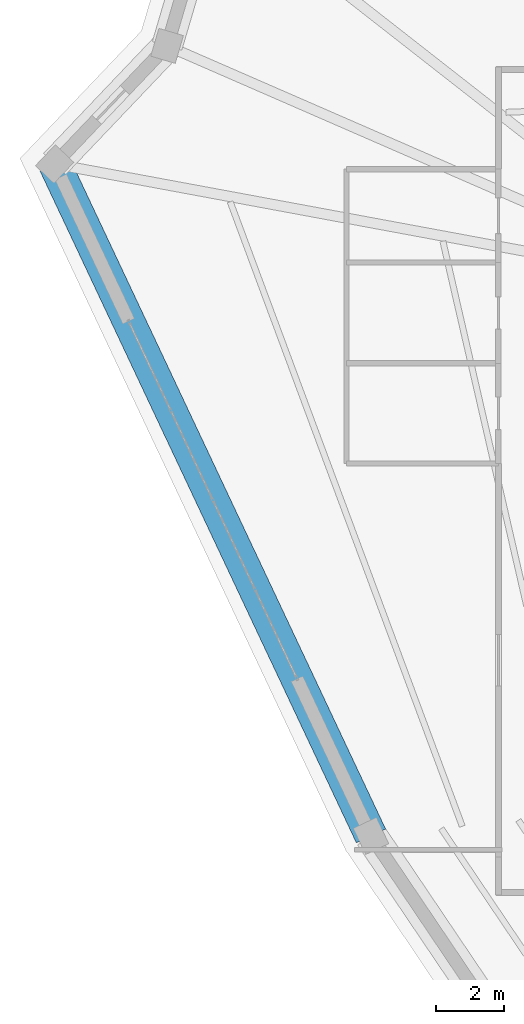
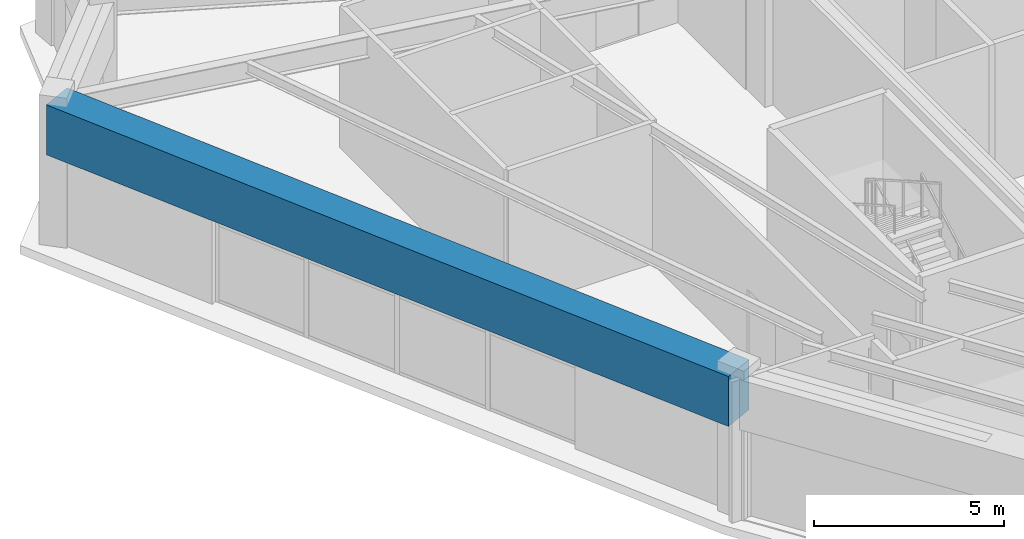
# One storey, part 20 of 40: 1 beam.
"""IFC4 building model written with IfcOpenShell, lengths in metres."""

from ifc_helpers import new_model, si_unit, direction, frame, origin, origin_2d, place, context, subcontext, project, spatial, rectangle, extrude, source, transform, mapped, material, material_profile, profile_set, type_object, element, save


model = new_model("IFC4")

# Units and contexts
model_context = context("Model", 3, precision=1e-05, world=origin(), true_north=direction((0.0, 1.0)))
body_context = subcontext(model_context, "Body", "Model", "MODEL_VIEW")
ifc_project = project(units=[si_unit("LENGTHUNIT", "METRE"), si_unit("AREAUNIT", "SQUARE_METRE"), si_unit("VOLUMEUNIT", "CUBIC_METRE"), si_unit("PLANEANGLEUNIT", "RADIAN"), si_unit("MASSUNIT", "GRAM", prefix="KILO")], contexts=[model_context])

# Site, building, storey
site_placement = place(None, origin())
site = spatial("IfcSite", under=ifc_project, at=site_placement, CompositionType="ELEMENT")
building_placement = place(site_placement, origin())
building = spatial("IfcBuilding", under=site, at=building_placement, Name="Liaohun Quay Tower", CompositionType="ELEMENT")
storey_placement = place(building_placement, frame((0.0, 0.0, 351.0)))
storey = spatial("IfcBuildingStorey", under=building, at=storey_placement, Name="L91", CompositionType="ELEMENT", Elevation=351.0)

# Beam
ifc_material = material(Name="Concrete C55", Category="concrete")
ifc_material_profile = material_profile(ifc_material, rectangle(XDim=0.949951171875, YDim=1.60009765625, at=origin_2d()), Name="RC950x1600")
ifc_profile_set = profile_set([ifc_material_profile], Name="Concrete C55")
beam_type = type_object("IfcBeamType", Name="BM-CAN-LNG", PredefinedType="SPANDREL", material=ifc_profile_set)
shared_shape = source(origin(), body_context, "Body", "SweptSolid", [
    extrude(rectangle(XDim=0.949951171875, YDim=1.60009765625, at=origin_2d()), origin(), (0.0, 0.0, 1.0), 21.803466796875),
])
beam_placement = place(storey_placement, frame((40.698974609375, 45.405029296875, 3.719970703125), z_axis=(-0.425993313614, 0.904726310414, 0.0), x_axis=(-0.904726310414, -0.425993313614, 0.0)))
element("IfcBeam", 1, at=beam_placement, inside=storey, type_object=beam_type, Name="L91 Precast Spandrel Beam PC02-PC03", PredefinedType="SPANDREL", context=body_context, shape_type="MappedRepresentation", body=[
    mapped(shared_shape, transform((0.0, 0.0, 0.0), x_axis=(1.0, 0.0, 0.0), y_axis=(0.0, 1.0, 0.0), z_axis=(0.0, 0.0, 1.0), scale=1.0)),
])

save(model, "model.ifc")
